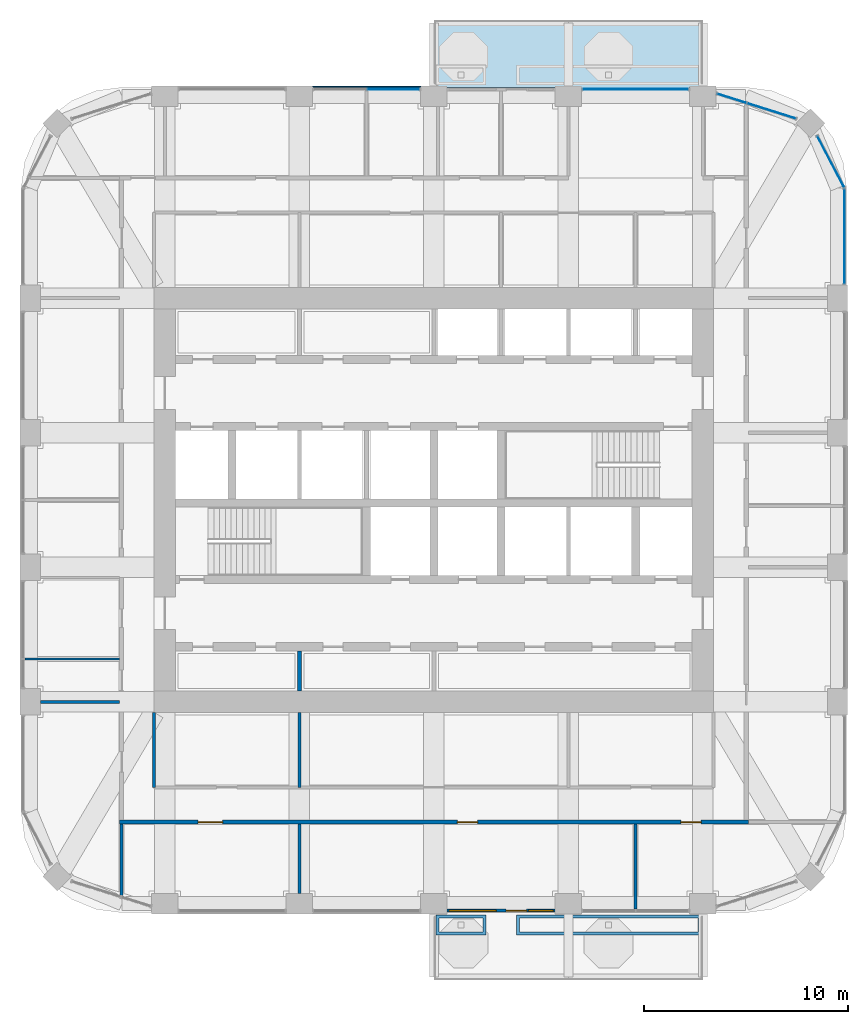
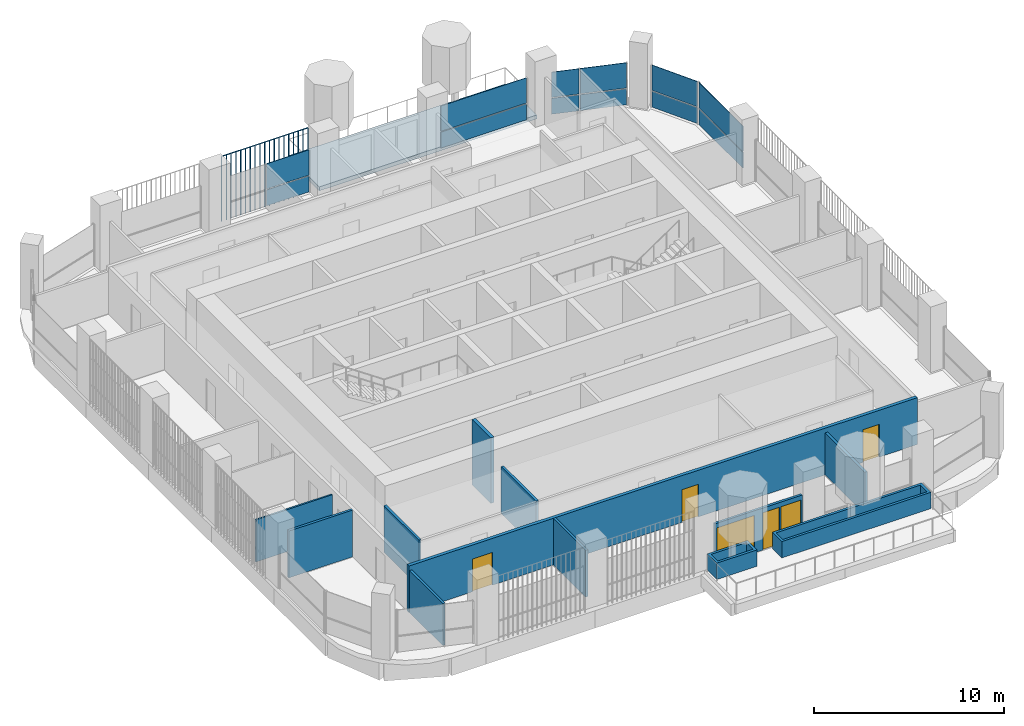
# One storey, part 13 of 21: 13 plates, 12 walls, 4 doors, 2 windows, 1 slab, 6 openings, 5 elements without a shape of their own.
"""IFC4 building model written with IfcOpenShell, lengths in metres."""

from ifc_helpers import new_model, si_unit, direction, frame, frame_2d, origin, origin_2d, place, context, subcontext, project, spatial, polyline, rectangle, outline, extrude, material, layer, layer_set, type_object, element, fill, aggregate, save


model = new_model("IFC4")

# Units and contexts
model_context = context("Model", 3, precision=1e-05, world=origin(), true_north=direction((0.0, 1.0)))
body_context = subcontext(model_context, "Body", "Model", "MODEL_VIEW")
ifc_project = project(units=[si_unit("LENGTHUNIT", "METRE"), si_unit("AREAUNIT", "SQUARE_METRE"), si_unit("VOLUMEUNIT", "CUBIC_METRE"), si_unit("PLANEANGLEUNIT", "RADIAN"), si_unit("MASSUNIT", "GRAM", prefix="KILO")], contexts=[model_context])

# Site, building, storey
site_placement = place(None, origin())
site = spatial("IfcSite", under=ifc_project, at=site_placement, CompositionType="ELEMENT")
building_placement = place(site_placement, origin())
building = spatial("IfcBuilding", under=site, at=building_placement, Name="Cobogo Forest Laboratory Tower", CompositionType="ELEMENT")
storey_placement = place(building_placement, frame((0.0, 0.0, 241.800048828125)))
storey = spatial("IfcBuildingStorey", under=building, at=storey_placement, Name="L55", CompositionType="ELEMENT", Elevation=241.800048828125)

# Slab
ifc_material_1 = material(Name="Concrete HA-40 (C40/50)", Category="concrete")
ifc_layer_1 = layer(ifc_material_1, 0.25)
ifc_layer_set_1 = layer_set([ifc_layer_1], Name="Balcony slab 250")
slab_type = type_object("IfcSlabType", Name="Balcony slab 250", PredefinedType="FLOOR", material=ifc_layer_set_1)
slab_placement = place(storey_placement, frame((0.0, 0.0, -0.25)))
element("IfcSlab", 1, at=slab_placement, inside=storey, type_object=slab_type, Name="Balcony BAL-N1 L55", PredefinedType="FLOOR", context=body_context, shape_type="SweptSolid", body=[
    extrude(outline(polyline([(26.39990234375, 43.35009765625), (39.60009765625, 43.35009765625), (39.60009765625, 46.64990234375), (26.39990234375, 46.64990234375), (26.39990234375, 43.35009765625)])), origin(), (0.0, 0.0, 1.0), 0.25),
])

# Curtain wall, plates
ifc_material_2 = material(Name="Aluminium curtain wall", Category="aluminium")
curtain_wall_type = type_object("IfcCurtainWallType", Name="CW-2 unitised curtain wall, solar control glazing, laboratory floors zones C and D", PredefinedType="USERDEFINED", material=ifc_material_2)
curtain_wall_1_placement = place(storey_placement, origin())
curtain_wall_1 = element("IfcCurtainWall", 2, at=curtain_wall_1_placement, inside=storey, type_object=curtain_wall_type, Name="Curtain wall 11 L55", ObjectType="UNITISED CURTAIN WALL", PredefinedType="USERDEFINED")
ifc_material_3 = material(Name="Solar control insulated glass", Category="glass")
ifc_layer_2 = layer(ifc_material_3, 0.031982421875)
ifc_layer_set_2 = layer_set([ifc_layer_2], Name="GP-2 solar control glass unit 32")
plate_type_1 = type_object("IfcPlateType", Name="GP-2 solar control glass unit 32", PredefinedType="CURTAIN_PANEL", material=ifc_layer_set_2)
plate_1_placement = place(storey_placement, frame((46.550048828125, 36.02490234375, 0.0), z_axis=(0.0, 0.0, 1.0), x_axis=(0.0, 1.0, 0.0)))
plate_1 = element("IfcPlate", 3, at=plate_1_placement, type_object=plate_type_1, Name="CW-2 panel 1.1", PredefinedType="CURTAIN_PANEL", context=body_context, shape_type="SweptSolid", body=[
    extrude(rectangle(XDim=4.6298828125, YDim=0.031982421875, at=origin_2d()), origin(), (0.0, 0.0, 1.0), 1.02001953125),
])
plate_2_placement = place(storey_placement, frame((46.550048828125, 36.02490234375, 1.079833984375), z_axis=(0.0, 0.0, 1.0), x_axis=(0.0, 1.0, 0.0)))
plate_2 = element("IfcPlate", 4, at=plate_2_placement, type_object=plate_type_1, Name="CW-2 panel 1.2", PredefinedType="CURTAIN_PANEL", context=body_context, shape_type="SweptSolid", body=[
    extrude(rectangle(XDim=4.6298828125, YDim=0.031982421875, at=origin_2d()), origin(), (0.0, 0.0, 1.0), 1.6201171875),
])
aggregate(curtain_wall_1, [plate_1, plate_2])

curtain_wall_2_placement = place(storey_placement, origin())
curtain_wall_2 = element("IfcCurtainWall", 5, at=curtain_wall_2_placement, inside=storey, type_object=curtain_wall_type, Name="Curtain wall 12 L55", ObjectType="UNITISED CURTAIN WALL", PredefinedType="USERDEFINED")
plate_3_placement = place(storey_placement, frame((45.869140625, 39.69873046875, 0.0), z_axis=(0.0, 0.0, 1.0), x_axis=(-0.464283791352, 0.885686491422, 0.0)))
plate_3 = element("IfcPlate", 6, at=plate_3_placement, type_object=plate_type_1, Name="CW-2 panel 1.1", PredefinedType="CURTAIN_PANEL", context=body_context, shape_type="SweptSolid", body=[
    extrude(rectangle(XDim=2.812744140625, YDim=0.031982421875, at=origin_2d()), origin(), (0.0, 0.0, 1.0), 1.02001953125),
])
plate_4_placement = place(storey_placement, frame((45.869140625, 39.69873046875, 1.079833984375), z_axis=(0.0, 0.0, 1.0), x_axis=(-0.464283791352, 0.885686491422, 0.0)))
plate_4 = element("IfcPlate", 7, at=plate_4_placement, type_object=plate_type_1, Name="CW-2 panel 1.2", PredefinedType="CURTAIN_PANEL", context=body_context, shape_type="SweptSolid", body=[
    extrude(rectangle(XDim=2.812744140625, YDim=0.031982421875, at=origin_2d()), origin(), (0.0, 0.0, 1.0), 1.6201171875),
])
aggregate(curtain_wall_2, [plate_3, plate_4])

curtain_wall_3_placement = place(storey_placement, origin())
curtain_wall_3 = element("IfcCurtainWall", 8, at=curtain_wall_3_placement, inside=storey, type_object=curtain_wall_type, Name="Curtain wall 13 L55", ObjectType="UNITISED CURTAIN WALL", PredefinedType="USERDEFINED")
plate_5_placement = place(storey_placement, frame((42.962646484375, 42.18798828125, 0.0), z_axis=(0.0, 0.0, 1.0), x_axis=(-0.953581386052, 0.301135418334, 0.0)))
plate_5 = element("IfcPlate", 9, at=plate_5_placement, type_object=plate_type_1, Name="CW-2 panel 1.1", PredefinedType="CURTAIN_PANEL", context=body_context, shape_type="SweptSolid", body=[
    extrude(rectangle(XDim=2.4853515625, YDim=0.031982421875, at=origin_2d()), origin(), (0.0, 0.0, 1.0), 1.02001953125),
])
plate_6_placement = place(storey_placement, frame((42.962646484375, 42.18798828125, 1.079833984375), z_axis=(0.0, 0.0, 1.0), x_axis=(-0.953581386052, 0.301135418334, 0.0)))
plate_6 = element("IfcPlate", 10, at=plate_6_placement, type_object=plate_type_1, Name="CW-2 panel 1.2", PredefinedType="CURTAIN_PANEL", context=body_context, shape_type="SweptSolid", body=[
    extrude(rectangle(XDim=2.4853515625, YDim=0.031982421875, at=origin_2d()), origin(), (0.0, 0.0, 1.0), 1.6201171875),
])
plate_7_placement = place(storey_placement, frame((41.013916015625, 42.803466796875, 0.0), z_axis=(0.0, 0.0, 1.0), x_axis=(-0.953581386052, 0.301135418334, 0.0)))
plate_7 = element("IfcPlate", 11, at=plate_7_placement, type_object=plate_type_1, Name="CW-2 panel 2.1", PredefinedType="CURTAIN_PANEL", context=body_context, shape_type="SweptSolid", body=[
    extrude(rectangle(XDim=1.482177734375, YDim=0.031982421875, at=origin_2d()), origin(), (0.0, 0.0, 1.0), 1.02001953125),
])
plate_8_placement = place(storey_placement, frame((41.013916015625, 42.803466796875, 1.079833984375), z_axis=(0.0, 0.0, 1.0), x_axis=(-0.953581386052, 0.301135418334, 0.0)))
plate_8 = element("IfcPlate", 12, at=plate_8_placement, type_object=plate_type_1, Name="CW-2 panel 2.2", PredefinedType="CURTAIN_PANEL", context=body_context, shape_type="SweptSolid", body=[
    extrude(rectangle(XDim=1.482177734375, YDim=0.031982421875, at=origin_2d()), origin(), (0.0, 0.0, 1.0), 1.6201171875),
])
aggregate(curtain_wall_3, [plate_5, plate_6, plate_7, plate_8])

curtain_wall_4_placement = place(storey_placement, origin())
curtain_wall_4 = element("IfcCurtainWall", 13, at=curtain_wall_4_placement, inside=storey, type_object=curtain_wall_type, Name="Curtain wall 14 L55", ObjectType="UNITISED CURTAIN WALL", PredefinedType="USERDEFINED")
plate_9_placement = place(storey_placement, frame((36.300048828125, 43.25, 0.0), z_axis=(0.0, 0.0, 1.0), x_axis=(-1.0, 0.0, 0.0)))
plate_9 = element("IfcPlate", 14, at=plate_9_placement, type_object=plate_type_1, Name="CW-2 panel 1.1", PredefinedType="CURTAIN_PANEL", context=body_context, shape_type="SweptSolid", body=[
    extrude(rectangle(XDim=5.179931640625, YDim=0.031982421875, at=origin_2d()), origin(), (0.0, 0.0, 1.0), 1.02001953125),
])
plate_10_placement = place(storey_placement, frame((36.300048828125, 43.25, 1.079833984375), z_axis=(0.0, 0.0, 1.0), x_axis=(-1.0, 0.0, 0.0)))
plate_10 = element("IfcPlate", 15, at=plate_10_placement, type_object=plate_type_1, Name="CW-2 panel 1.2", PredefinedType="CURTAIN_PANEL", context=body_context, shape_type="SweptSolid", body=[
    extrude(rectangle(XDim=5.179931640625, YDim=0.031982421875, at=origin_2d()), origin(), (0.0, 0.0, 1.0), 1.6201171875),
])
aggregate(curtain_wall_4, [plate_9, plate_10])

curtain_wall_5_placement = place(storey_placement, origin())
curtain_wall_5 = element("IfcCurtainWall", 16, at=curtain_wall_5_placement, inside=storey, type_object=curtain_wall_type, Name="Curtain wall 16 L55", ObjectType="UNITISED CURTAIN WALL", PredefinedType="USERDEFINED")
plate_11_placement = place(storey_placement, frame((24.409912109375, 43.25, 0.0), z_axis=(0.0, 0.0, 1.0), x_axis=(-1.0, 0.0, 0.0)))
plate_11 = element("IfcPlate", 17, at=plate_11_placement, type_object=plate_type_1, Name="CW-2 panel 1.1", PredefinedType="CURTAIN_PANEL", context=body_context, shape_type="SweptSolid", body=[
    extrude(rectangle(XDim=2.56005859375, YDim=0.031982421875, at=origin_2d()), origin(), (0.0, 0.0, 1.0), 1.02001953125),
])
plate_12_placement = place(storey_placement, frame((24.409912109375, 43.25, 1.079833984375), z_axis=(0.0, 0.0, 1.0), x_axis=(-1.0, 0.0, 0.0)))
plate_12 = element("IfcPlate", 18, at=plate_12_placement, type_object=plate_type_1, Name="CW-2 panel 1.2", PredefinedType="CURTAIN_PANEL", context=body_context, shape_type="SweptSolid", body=[
    extrude(rectangle(XDim=2.56005859375, YDim=0.031982421875, at=origin_2d()), origin(), (0.0, 0.0, 1.0), 1.6201171875),
])
aggregate(curtain_wall_5, [plate_11, plate_12])

# Plate
ifc_material_4 = material(Name="Terracotta", Category="masonry")
plate_type_2 = type_object("IfcPlateType", Name="TB1 terracotta baguette screen", PredefinedType="USERDEFINED", material=ifc_material_4)
plate_13_placement = place(storey_placement, frame((20.481201171875, 43.3779296875, -0.150146484375)))
element("IfcPlate", 19, at=plate_13_placement, inside=storey, type_object=plate_type_2, Name="Baguette screen N2 L55", ObjectType="BAGUETTE SCREEN", PredefinedType="USERDEFINED", context=body_context, shape_type="SweptSolid", body=[
    extrude(outline(polyline([(0.02880859375, 0.011962890625), (0.011962890625, 0.02880859375), (-0.011962890625, 0.02880859375), (-0.02880859375, 0.011962890625), (-0.02880859375, -0.011962890625), (-0.011962890625, -0.02880859375), (0.011962890625, -0.02880859375), (0.02880859375, -0.011962890625), (0.02880859375, 0.011962890625)])), frame((0.0, 0.0, 4.168701171875), z_axis=(1.0, 0.0, 0.0), x_axis=(0.0, 1.0, 0.0)), (0.0, 0.0, 1.0), 5.237548828125),
    extrude(outline(polyline([(0.02880859375, 0.011962890625), (0.011962890625, 0.02880859375), (-0.011962890625, 0.02880859375), (-0.02880859375, 0.011962890625), (-0.02880859375, -0.011962890625), (-0.011962890625, -0.02880859375), (0.011962890625, -0.02880859375), (0.02880859375, -0.011962890625), (0.02880859375, 0.011962890625)])), origin(), (0.0, 0.0, 1.0), 4.137451171875),
    extrude(outline(polyline([(0.02880859375, 0.011962890625), (0.011962890625, 0.02880859375), (-0.011962890625, 0.02880859375), (-0.02880859375, 0.011962890625), (-0.02880859375, -0.011962890625), (-0.011962890625, -0.02880859375), (0.011962890625, -0.02880859375), (0.02880859375, -0.011962890625), (0.02880859375, 0.011962890625)])), frame((0.291015625, 0.0, 0.0)), (0.0, 0.0, 1.0), 4.137451171875),
    extrude(outline(polyline([(0.02880859375, 0.011962890625), (0.011962890625, 0.02880859375), (-0.011962890625, 0.02880859375), (-0.02880859375, 0.011962890625), (-0.02880859375, -0.011962890625), (-0.011962890625, -0.02880859375), (0.011962890625, -0.02880859375), (0.02880859375, -0.011962890625), (0.02880859375, 0.011962890625)])), frame((0.58203125, 0.0, 0.0)), (0.0, 0.0, 1.0), 4.137451171875),
    extrude(outline(polyline([(0.02880859375, 0.011962890625), (0.011962890625, 0.02880859375), (-0.011962890625, 0.02880859375), (-0.02880859375, 0.011962890625), (-0.02880859375, -0.011962890625), (-0.011962890625, -0.02880859375), (0.011962890625, -0.02880859375), (0.02880859375, -0.011962890625), (0.02880859375, 0.011962890625)])), frame((0.873046875, 0.0, 0.0)), (0.0, 0.0, 1.0), 4.137451171875),
    extrude(outline(polyline([(0.02880859375, 0.011962890625), (0.011962890625, 0.02880859375), (-0.011962890625, 0.02880859375), (-0.02880859375, 0.011962890625), (-0.02880859375, -0.011962890625), (-0.011962890625, -0.02880859375), (0.011962890625, -0.02880859375), (0.02880859375, -0.011962890625), (0.02880859375, 0.011962890625)])), frame((1.163818359375, 0.0, 0.0)), (0.0, 0.0, 1.0), 4.137451171875),
    extrude(outline(polyline([(0.02880859375, 0.011962890625), (0.011962890625, 0.02880859375), (-0.011962890625, 0.02880859375), (-0.02880859375, 0.011962890625), (-0.02880859375, -0.011962890625), (-0.011962890625, -0.02880859375), (0.011962890625, -0.02880859375), (0.02880859375, -0.011962890625), (0.02880859375, 0.011962890625)])), frame((1.454833984375, 0.0, 0.0)), (0.0, 0.0, 1.0), 4.137451171875),
    extrude(outline(polyline([(0.02880859375, 0.011962890625), (0.011962890625, 0.02880859375), (-0.011962890625, 0.02880859375), (-0.02880859375, 0.011962890625), (-0.02880859375, -0.011962890625), (-0.011962890625, -0.02880859375), (0.011962890625, -0.02880859375), (0.02880859375, -0.011962890625), (0.02880859375, 0.011962890625)])), frame((1.745849609375, 0.0, 0.0)), (0.0, 0.0, 1.0), 4.137451171875),
    extrude(outline(polyline([(0.02880859375, 0.011962890625), (0.011962890625, 0.02880859375), (-0.011962890625, 0.02880859375), (-0.02880859375, 0.011962890625), (-0.02880859375, -0.011962890625), (-0.011962890625, -0.02880859375), (0.011962890625, -0.02880859375), (0.02880859375, -0.011962890625), (0.02880859375, 0.011962890625)])), frame((2.036865234375, 0.0, 0.0)), (0.0, 0.0, 1.0), 4.137451171875),
    extrude(outline(polyline([(0.02880859375, 0.011962890625), (0.011962890625, 0.02880859375), (-0.011962890625, 0.02880859375), (-0.02880859375, 0.011962890625), (-0.02880859375, -0.011962890625), (-0.011962890625, -0.02880859375), (0.011962890625, -0.02880859375), (0.02880859375, -0.011962890625), (0.02880859375, 0.011962890625)])), frame((2.327880859375, 0.0, 0.0)), (0.0, 0.0, 1.0), 4.137451171875),
    extrude(outline(polyline([(0.02880859375, 0.011962890625), (0.011962890625, 0.02880859375), (-0.011962890625, 0.02880859375), (-0.02880859375, 0.011962890625), (-0.02880859375, -0.011962890625), (-0.011962890625, -0.02880859375), (0.011962890625, -0.02880859375), (0.02880859375, -0.011962890625), (0.02880859375, 0.011962890625)])), frame((2.61865234375, 0.0, 0.0)), (0.0, 0.0, 1.0), 4.137451171875),
    extrude(outline(polyline([(0.02880859375, 0.011962890625), (0.011962890625, 0.02880859375), (-0.011962890625, 0.02880859375), (-0.02880859375, 0.011962890625), (-0.02880859375, -0.011962890625), (-0.011962890625, -0.02880859375), (0.011962890625, -0.02880859375), (0.02880859375, -0.011962890625), (0.02880859375, 0.011962890625)])), frame((2.90966796875, 0.0, 0.0)), (0.0, 0.0, 1.0), 4.137451171875),
    extrude(outline(polyline([(0.02880859375, 0.011962890625), (0.011962890625, 0.02880859375), (-0.011962890625, 0.02880859375), (-0.02880859375, 0.011962890625), (-0.02880859375, -0.011962890625), (-0.011962890625, -0.02880859375), (0.011962890625, -0.02880859375), (0.02880859375, -0.011962890625), (0.02880859375, 0.011962890625)])), frame((3.20068359375, 0.0, 0.0)), (0.0, 0.0, 1.0), 4.137451171875),
    extrude(outline(polyline([(0.02880859375, 0.011962890625), (0.011962890625, 0.02880859375), (-0.011962890625, 0.02880859375), (-0.02880859375, 0.011962890625), (-0.02880859375, -0.011962890625), (-0.011962890625, -0.02880859375), (0.011962890625, -0.02880859375), (0.02880859375, -0.011962890625), (0.02880859375, 0.011962890625)])), frame((3.49169921875, 0.0, 0.0)), (0.0, 0.0, 1.0), 4.137451171875),
    extrude(outline(polyline([(0.02880859375, 0.011962890625), (0.011962890625, 0.02880859375), (-0.011962890625, 0.02880859375), (-0.02880859375, 0.011962890625), (-0.02880859375, -0.011962890625), (-0.011962890625, -0.02880859375), (0.011962890625, -0.02880859375), (0.02880859375, -0.011962890625), (0.02880859375, 0.011962890625)])), frame((3.78271484375, 0.0, 0.0)), (0.0, 0.0, 1.0), 4.137451171875),
    extrude(outline(polyline([(0.02880859375, 0.011962890625), (0.011962890625, 0.02880859375), (-0.011962890625, 0.02880859375), (-0.02880859375, 0.011962890625), (-0.02880859375, -0.011962890625), (-0.011962890625, -0.02880859375), (0.011962890625, -0.02880859375), (0.02880859375, -0.011962890625), (0.02880859375, 0.011962890625)])), frame((4.07373046875, 0.0, 0.0)), (0.0, 0.0, 1.0), 4.137451171875),
    extrude(outline(polyline([(0.02880859375, 0.011962890625), (0.011962890625, 0.02880859375), (-0.011962890625, 0.02880859375), (-0.02880859375, 0.011962890625), (-0.02880859375, -0.011962890625), (-0.011962890625, -0.02880859375), (0.011962890625, -0.02880859375), (0.02880859375, -0.011962890625), (0.02880859375, 0.011962890625)])), frame((4.36474609375, 0.0, 0.0)), (0.0, 0.0, 1.0), 4.137451171875),
    extrude(outline(polyline([(0.02880859375, 0.011962890625), (0.011962890625, 0.02880859375), (-0.011962890625, 0.02880859375), (-0.02880859375, 0.011962890625), (-0.02880859375, -0.011962890625), (-0.011962890625, -0.02880859375), (0.011962890625, -0.02880859375), (0.02880859375, -0.011962890625), (0.02880859375, 0.011962890625)])), frame((4.655517578125, 0.0, 0.0)), (0.0, 0.0, 1.0), 4.137451171875),
    extrude(outline(polyline([(0.02880859375, 0.011962890625), (0.011962890625, 0.02880859375), (-0.011962890625, 0.02880859375), (-0.02880859375, 0.011962890625), (-0.02880859375, -0.011962890625), (-0.011962890625, -0.02880859375), (0.011962890625, -0.02880859375), (0.02880859375, -0.011962890625), (0.02880859375, 0.011962890625)])), frame((4.946533203125, 0.0, 0.0)), (0.0, 0.0, 1.0), 4.137451171875),
    extrude(outline(polyline([(0.02880859375, 0.011962890625), (0.011962890625, 0.02880859375), (-0.011962890625, 0.02880859375), (-0.02880859375, 0.011962890625), (-0.02880859375, -0.011962890625), (-0.011962890625, -0.02880859375), (0.011962890625, -0.02880859375), (0.02880859375, -0.011962890625), (0.02880859375, 0.011962890625)])), frame((5.237548828125, 0.0, 0.0)), (0.0, 0.0, 1.0), 4.137451171875),
])

# Wall, openings, door, windows
ifc_material_5 = material(Name="Aluminium framed glazed screen", Category="aluminium")
ifc_layer_3 = layer(ifc_material_5, 0.14990234375)
ifc_layer_set_3 = layer_set([ifc_layer_3], Name="GS1 glazed door screen 150")
wall_type_1 = type_object("IfcWallType", Name="GS1 glazed door screen 150", PredefinedType="SOLIDWALL", material=ifc_layer_set_3)
wall_1_placement = place(storey_placement, frame((27.050048828125, 2.949951171875, 0.0), z_axis=(0.0, 0.0, 1.0), x_axis=(1.0, 0.0, 0.0)))
wall_1 = element("IfcWall", 20, at=wall_1_placement, inside=storey, type_object=wall_type_1, Name="Door screen BAL-S1 L55", PredefinedType="SOLIDWALL", context=body_context, shape_type="SweptSolid", body=[
    extrude(rectangle(XDim=5.300048828125, YDim=0.14990234375, at=frame_2d((2.64990234375, 0.0))), origin(), (0.0, 0.0, 1.0), 2.699951171875),
])
opening_1_placement = place(wall_1_placement, frame((2.89990234375, 0.0, 0.0)))
opening_1 = element("IfcOpeningElement", 21, at=opening_1_placement, cuts=wall_1, Name="Opening L55-D01", PredefinedType="OPENING", context=body_context, shape_type="SweptSolid", body=[
    extrude(rectangle(XDim=1.0, YDim=2.39990234375, at=frame_2d((0.5, 1.199951171875))), frame((0.0, 0.0849609375, 0.0), z_axis=(0.0, -1.0, 0.0), x_axis=(1.0, 0.0, 0.0)), (0.0, 0.0, 1.0), 0.169921875),
])
opening_2_placement = place(wall_1_placement, frame((0.10009765625, 0.0, 0.10009765625)))
opening_2 = element("IfcOpeningElement", 22, at=opening_2_placement, cuts=wall_1, Name="Opening L55-W01", PredefinedType="OPENING", context=body_context, shape_type="SweptSolid", body=[
    extrude(rectangle(XDim=2.300048828125, YDim=2.300048828125, at=frame_2d((1.14990234375, 1.14990234375))), frame((0.0, 0.0849609375, 0.0), z_axis=(0.0, -1.0, 0.0), x_axis=(1.0, 0.0, 0.0)), (0.0, 0.0, 1.0), 0.169921875),
])
opening_3_placement = place(wall_1_placement, frame((4.0, 0.0, 0.10009765625)))
opening_3 = element("IfcOpeningElement", 23, at=opening_3_placement, cuts=wall_1, Name="Opening L55-W02", PredefinedType="OPENING", context=body_context, shape_type="SweptSolid", body=[
    extrude(rectangle(XDim=1.199951171875, YDim=2.300048828125, at=frame_2d((0.60009765625, 1.14990234375))), frame((0.0, 0.0849609375, 0.0), z_axis=(0.0, -1.0, 0.0), x_axis=(1.0, 0.0, 0.0)), (0.0, 0.0, 1.0), 0.169921875),
])
ifc_material_6 = material(Name="Aluminium glazed door", Category="aluminium")
door_type_1 = type_object("IfcDoorType", Name="DB1 balcony door 1000 glazed", OperationType="SINGLE_SWING_LEFT", PredefinedType="DOOR", material=ifc_material_6)
door_1_placement = place(opening_1_placement, origin())
door_1 = element("IfcDoor", 24, at=door_1_placement, inside=storey, type_object=door_type_1, Name="Door L55-BAL-S1", OperationType="SINGLE_SWING_RIGHT", OverallHeight=2.39990234375, OverallWidth=1.0, PredefinedType="DOOR", context=body_context, shape_type="SweptSolid", body=[
    extrude(rectangle(XDim=1.0, YDim=2.39990234375, at=frame_2d((0.5, 1.199951171875))), frame((0.0, 0.02490234375, 0.0), z_axis=(0.0, -1.0, 0.0), x_axis=(1.0, 0.0, 0.0)), (0.0, 0.0, 1.0), 0.050048828125),
])
fill(opening_1, door_1)
ifc_material_7 = material(Name="Aluminium framed glazing", Category="aluminium")
window_type_1 = type_object("IfcWindowType", Name="WG21 fixed glazed light 2300x2300", PartitioningType="SINGLE_PANEL", PredefinedType="WINDOW", material=ifc_material_7)
window_1_placement = place(opening_2_placement, origin())
window_1 = element("IfcWindow", 25, at=window_1_placement, inside=storey, type_object=window_type_1, Name="Window L55-BAL-S1-1", OverallHeight=2.300048828125, OverallWidth=2.300048828125, PartitioningType="SINGLE_PANEL", PredefinedType="WINDOW", context=body_context, shape_type="SweptSolid", body=[
    extrude(rectangle(XDim=2.300048828125, YDim=2.300048828125, at=frame_2d((1.14990234375, 1.14990234375))), frame((0.0, 0.030029296875, 0.0), z_axis=(0.0, -1.0, 0.0), x_axis=(1.0, 0.0, 0.0)), (0.0, 0.0, 1.0), 0.06005859375),
])
fill(opening_2, window_1)
window_type_2 = type_object("IfcWindowType", Name="WG22 fixed glazed light 1200x2300", PartitioningType="SINGLE_PANEL", PredefinedType="WINDOW", material=ifc_material_7)
window_2_placement = place(opening_3_placement, origin())
window_2 = element("IfcWindow", 26, at=window_2_placement, inside=storey, type_object=window_type_2, Name="Window L55-BAL-S1-2", OverallHeight=2.300048828125, OverallWidth=1.199951171875, PartitioningType="SINGLE_PANEL", PredefinedType="WINDOW", context=body_context, shape_type="SweptSolid", body=[
    extrude(rectangle(XDim=1.199951171875, YDim=2.300048828125, at=frame_2d((0.60009765625, 1.14990234375))), frame((0.0, 0.030029296875, 0.0), z_axis=(0.0, -1.0, 0.0), x_axis=(1.0, 0.0, 0.0)), (0.0, 0.0, 1.0), 0.06005859375),
])
fill(opening_3, window_2)

# Walls
ifc_material_8 = material(Name="Gypsum board on steel studs", Category="steel")
ifc_layer_4 = layer(ifc_material_8, 0.14990234375)
ifc_layer_set_4 = layer_set([ifc_layer_4], Name="PT1 laboratory partition 150")
wall_type_2 = type_object("IfcWallType", Name="PT1 laboratory partition 150", PredefinedType="PARTITIONING", material=ifc_layer_set_4)
for number, where, z_axis, x_axis, name in (
    (27, (12.675048828125, 12.675048828125, 0.0), (0.0, 0.0, 1.0), (0.0, -1.0, 0.0), "Partition CSTRIP-SW L55"),
    (28, (19.800048828125, 12.675048828125, 0.0), (0.0, 0.0, 1.0), (0.0, -1.0, 0.0), "Partition CSTRIP-S19.8 L55"),
):
    element("IfcWall", number, at=place(storey_placement, frame(where, z_axis=z_axis, x_axis=x_axis)), inside=storey, type_object=wall_type_2, Name=name, PredefinedType="PARTITIONING", context=body_context, shape_type="SweptSolid", body=[
        extrude(rectangle(XDim=3.675048828125, YDim=0.14990234375, at=frame_2d((1.83740234375, 0.0))), origin(), (0.0, 0.0, 1.0), 3.0),
    ])
wall_2_placement = place(storey_placement, frame((11.074951171875, 3.705078125, 0.0), z_axis=(0.0, 0.0, 1.0), x_axis=(0.0, 1.0, 0.0)))
element("IfcWall", 29, at=wall_2_placement, inside=storey, type_object=wall_type_2, Name="Partition PW-SW L55", PredefinedType="PARTITIONING", context=body_context, shape_type="SweptSolid", body=[
    extrude(rectangle(XDim=3.494873046875, YDim=0.14990234375, at=frame_2d((1.74755859375, 0.0))), origin(), (0.0, 0.0, 1.0), 2.699951171875),
])
wall_3_placement = place(storey_placement, frame((19.800048828125, 3.800048828125, 0.0), z_axis=(0.0, 0.0, 1.0), x_axis=(0.0, 1.0, 0.0)))
element("IfcWall", 30, at=wall_3_placement, inside=storey, type_object=wall_type_2, Name="Partition CUT-S19.8-1 L55", PredefinedType="PARTITIONING", context=body_context, shape_type="SweptSolid", body=[
    extrude(rectangle(XDim=3.39990234375, YDim=0.14990234375, at=frame_2d((1.699951171875, 0.0))), origin(), (0.0, 0.0, 1.0), 3.0),
])
wall_4_placement = place(storey_placement, frame((36.300048828125, 3.030029296875, 0.0), z_axis=(0.0, 0.0, 1.0), x_axis=(0.0, 1.0, 0.0)))
element("IfcWall", 31, at=wall_4_placement, inside=storey, type_object=wall_type_2, Name="Partition CUT-S36.3-1 L55", PredefinedType="PARTITIONING", context=body_context, shape_type="SweptSolid", body=[
    extrude(rectangle(XDim=4.169921875, YDim=0.14990234375, at=frame_2d((2.0849609375, 0.0))), origin(), (0.0, 0.0, 1.0), 2.699951171875),
])
wall_5_placement = place(storey_placement, frame((7.10009765625, 13.199951171875, 0.0), z_axis=(0.0, 0.0, 1.0), x_axis=(1.0, 0.0, 0.0)))
element("IfcWall", 32, at=wall_5_placement, inside=storey, type_object=wall_type_2, Name="Partition CUT-W13.2-1 L55", PredefinedType="PARTITIONING", context=body_context, shape_type="SweptSolid", body=[
    extrude(rectangle(XDim=3.875, YDim=0.14990234375, at=frame_2d((1.9375, 0.0))), origin(), (0.0, 0.0, 1.0), 3.0),
])

# Wall, openings, doors
ifc_layer_5 = layer(ifc_material_8, 0.199951171875)
ifc_layer_set_5 = layer_set([ifc_layer_5], Name="PT2 fire-rated corridor partition 200")
wall_type_3 = type_object("IfcWallType", Name="PT2 fire-rated corridor partition 200", PredefinedType="PARTITIONING", material=ifc_layer_set_5)
wall_6_placement = place(storey_placement, frame((10.97509765625, 7.300048828125, 0.0), z_axis=(0.0, 0.0, 1.0), x_axis=(1.0, 0.0, 0.0)))
wall_6 = element("IfcWall", 33, at=wall_6_placement, inside=storey, type_object=wall_type_3, Name="Partition CORR-S L55", PredefinedType="PARTITIONING", context=body_context, shape_type="SweptSolid", body=[
    extrude(rectangle(XDim=30.849853515625, YDim=0.199951171875, at=frame_2d((15.4248046875, 0.0))), origin(), (0.0, 0.0, 1.0), 3.0),
])
opening_4_placement = place(wall_6_placement, frame((3.862548828125, 0.0, 0.0)))
opening_4 = element("IfcOpeningElement", 34, at=opening_4_placement, cuts=wall_6, Name="Opening L55-D02", PredefinedType="OPENING", context=body_context, shape_type="SweptSolid", body=[
    extrude(rectangle(XDim=1.199951171875, YDim=2.10009765625, at=frame_2d((0.60009765625, 1.050048828125))), frame((0.0, 0.10986328125, 0.0), z_axis=(0.0, -1.0, 0.0), x_axis=(1.0, 0.0, 0.0)), (0.0, 0.0, 1.0), 0.219970703125),
])
opening_5_placement = place(wall_6_placement, frame((16.574951171875, 0.0, 0.0)))
opening_5 = element("IfcOpeningElement", 35, at=opening_5_placement, cuts=wall_6, Name="Opening L55-D03", PredefinedType="OPENING", context=body_context, shape_type="SweptSolid", body=[
    extrude(rectangle(XDim=1.0, YDim=2.10009765625, at=frame_2d((0.5, 1.050048828125))), frame((0.0, 0.10986328125, 0.0), z_axis=(0.0, -1.0, 0.0), x_axis=(1.0, 0.0, 0.0)), (0.0, 0.0, 1.0), 0.219970703125),
])
opening_6_placement = place(wall_6_placement, frame((27.53759765625, 0.0, 0.0)))
opening_6 = element("IfcOpeningElement", 36, at=opening_6_placement, cuts=wall_6, Name="Opening L55-D04", PredefinedType="OPENING", context=body_context, shape_type="SweptSolid", body=[
    extrude(rectangle(XDim=1.0, YDim=2.10009765625, at=frame_2d((0.5, 1.050048828125))), frame((0.0, 0.10986328125, 0.0), z_axis=(0.0, -1.0, 0.0), x_axis=(1.0, 0.0, 0.0)), (0.0, 0.0, 1.0), 0.219970703125),
])
ifc_material_9 = material(Name="Timber door", Category="wood")
door_type_2 = type_object("IfcDoorType", Name="D2 laboratory door 1200 unequal pair", OperationType="DOUBLE_DOOR_SINGLE_SWING", PredefinedType="DOOR", material=ifc_material_9)
door_2_placement = place(opening_4_placement, origin())
door_2 = element("IfcDoor", 37, at=door_2_placement, inside=storey, type_object=door_type_2, Name="Door L55-S1", OperationType="DOUBLE_DOOR_SINGLE_SWING", OverallHeight=2.10009765625, OverallWidth=1.199951171875, PredefinedType="DOOR", context=body_context, shape_type="SweptSolid", body=[
    extrude(rectangle(XDim=1.199951171875, YDim=2.10009765625, at=frame_2d((0.60009765625, 1.050048828125))), frame((0.0, 0.02490234375, 0.0), z_axis=(0.0, -1.0, 0.0), x_axis=(1.0, 0.0, 0.0)), (0.0, 0.0, 1.0), 0.050048828125),
])
fill(opening_4, door_2)
ifc_material_10 = material(Name="Timber fire door", Category="wood")
door_type_3 = type_object("IfcDoorType", Name="FD2 fire door 1000 EI2 30", OperationType="SINGLE_SWING_LEFT", PredefinedType="DOOR", material=ifc_material_10)
door_3_placement = place(opening_5_placement, origin())
door_3 = element("IfcDoor", 38, at=door_3_placement, inside=storey, type_object=door_type_3, Name="Door L55-S2", OperationType="SINGLE_SWING_RIGHT", OverallHeight=2.10009765625, OverallWidth=1.0, PredefinedType="DOOR", context=body_context, shape_type="SweptSolid", body=[
    extrude(rectangle(XDim=1.0, YDim=2.10009765625, at=frame_2d((0.5, 1.050048828125))), frame((0.0, 0.02490234375, 0.0), z_axis=(0.0, -1.0, 0.0), x_axis=(1.0, 0.0, 0.0)), (0.0, 0.0, 1.0), 0.050048828125),
])
fill(opening_5, door_3)
door_4_placement = place(opening_6_placement, origin())
door_4 = element("IfcDoor", 39, at=door_4_placement, inside=storey, type_object=door_type_3, Name="Door L55-S3", OperationType="SINGLE_SWING_RIGHT", OverallHeight=2.10009765625, OverallWidth=1.0, PredefinedType="DOOR", context=body_context, shape_type="SweptSolid", body=[
    extrude(rectangle(XDim=1.0, YDim=2.10009765625, at=frame_2d((0.5, 1.050048828125))), frame((0.0, 0.02490234375, 0.0), z_axis=(0.0, -1.0, 0.0), x_axis=(1.0, 0.0, 0.0)), (0.0, 0.0, 1.0), 0.050048828125),
])
fill(opening_6, door_4)

# Walls
ifc_layer_6 = layer(ifc_material_8, 0.10009765625)
ifc_layer_set_6 = layer_set([ifc_layer_6], Name="PT3 toilet partition 100")
wall_type_4 = type_object("IfcWallType", Name="PT3 toilet partition 100", PredefinedType="PARTITIONING", material=ifc_layer_set_6)
wall_7_placement = place(storey_placement, frame((6.330078125, 15.300048828125, 0.0), z_axis=(0.0, 0.0, 1.0), x_axis=(1.0, 0.0, 0.0)))
element("IfcWall", 40, at=wall_7_placement, inside=storey, type_object=wall_type_4, Name="Partition SVC-W1-1 L55", PredefinedType="PARTITIONING", context=body_context, shape_type="SweptSolid", body=[
    extrude(rectangle(XDim=4.64501953125, YDim=0.10009765625, at=frame_2d((2.322509765625, 0.0))), origin(), (0.0, 0.0, 1.0), 2.699951171875),
])
ifc_layer_7 = layer(ifc_material_1, 0.14990234375)
ifc_layer_set_7 = layer_set([ifc_layer_7], Name="Planter box 1000x1050")
wall_type_5 = type_object("IfcWallType", Name="Planter box 1000x1050", PredefinedType="USERDEFINED", material=ifc_layer_set_7)
wall_8_placement = place(storey_placement, origin())
element("IfcWall", 41, at=wall_8_placement, inside=storey, type_object=wall_type_5, Name="Planter BAL-S1-1 L55", ObjectType="PLANTER", PredefinedType="USERDEFINED", context=body_context, shape_type="SweptSolid", body=[
    extrude(outline(polyline([(26.5, 1.75), (28.949951171875, 1.75), (28.949951171875, 2.75), (26.5, 2.75), (26.5, 1.75)]), holes=[polyline([(26.64990234375, 1.89990234375), (28.800048828125, 1.89990234375), (28.800048828125, 2.60009765625), (26.64990234375, 2.60009765625), (26.64990234375, 1.89990234375)])]), origin(), (0.0, 0.0, 1.0), 1.050048828125),
])
wall_9_placement = place(storey_placement, origin())
element("IfcWall", 42, at=wall_9_placement, inside=storey, type_object=wall_type_5, Name="Planter BAL-S1-2 L55", ObjectType="PLANTER", PredefinedType="USERDEFINED", context=body_context, shape_type="SweptSolid", body=[
    extrude(outline(polyline([(30.449951171875, 1.75), (39.5, 1.75), (39.5, 2.75), (30.449951171875, 2.75), (30.449951171875, 1.75)]), holes=[polyline([(30.60009765625, 1.89990234375), (39.35009765625, 1.89990234375), (39.35009765625, 2.60009765625), (30.60009765625, 2.60009765625), (30.60009765625, 1.89990234375)])]), origin(), (0.0, 0.0, 1.0), 1.050048828125),
])
ifc_material_11 = material(Name="Concrete block", Category="concrete")
ifc_layer_8 = layer(ifc_material_11, 0.199951171875)
ifc_layer_set_8 = layer_set([ifc_layer_8], Name="SW200 lift shaft separator 200")
wall_type_6 = type_object("IfcWallType", Name="SW200 lift shaft separator 200", PredefinedType="PARTITIONING", material=ifc_layer_set_8)
wall_10_placement = place(storey_placement, frame((19.800048828125, 13.72509765625, 0.0), z_axis=(0.0, 0.0, 1.0), x_axis=(0.0, 1.0, 0.0)))
element("IfcWall", 43, at=wall_10_placement, inside=storey, type_object=wall_type_6, Name="Core wall SEP-S2 L55", PredefinedType="PARTITIONING", context=body_context, shape_type="SweptSolid", body=[
    extrude(rectangle(XDim=1.974853515625, YDim=0.199951171875, at=frame_2d((0.9873046875, 0.0))), origin(), (0.0, 0.0, 1.0), 4.199951171875),
])

save(model, "model.ifc")
